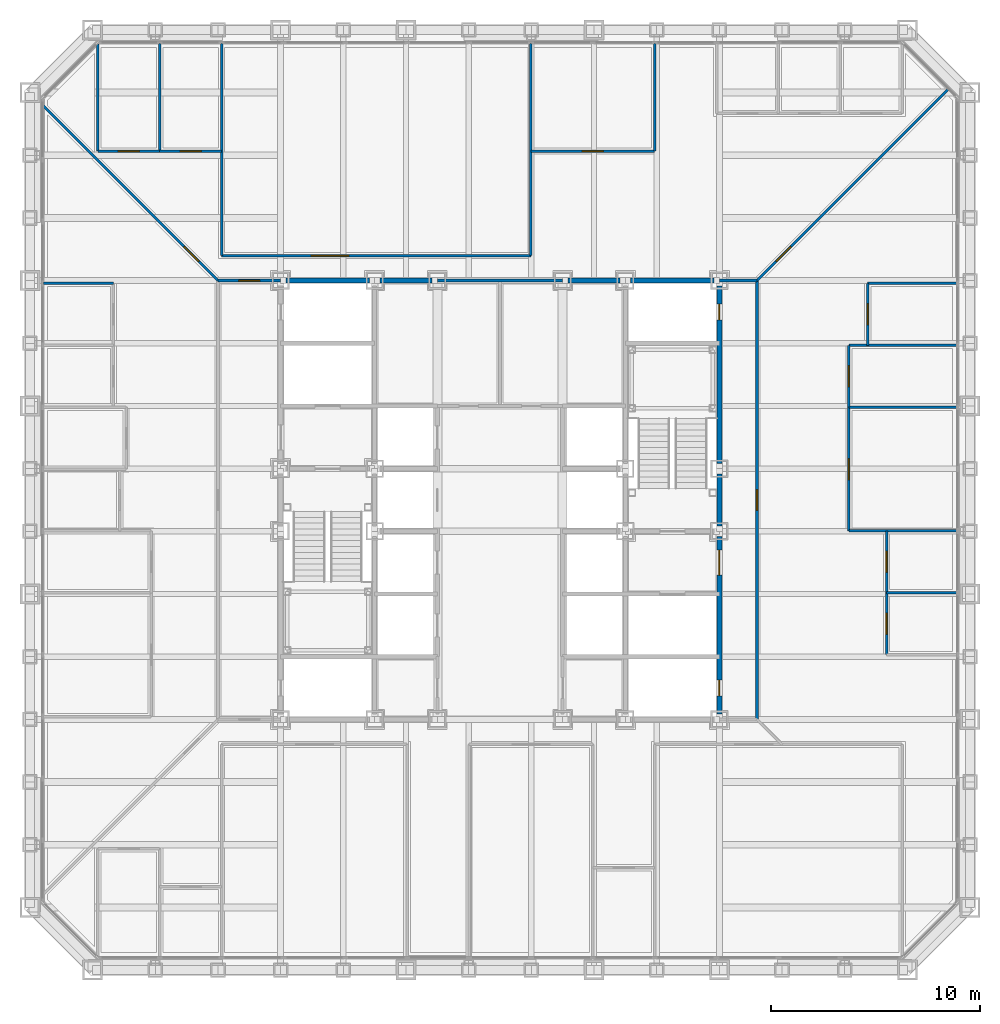
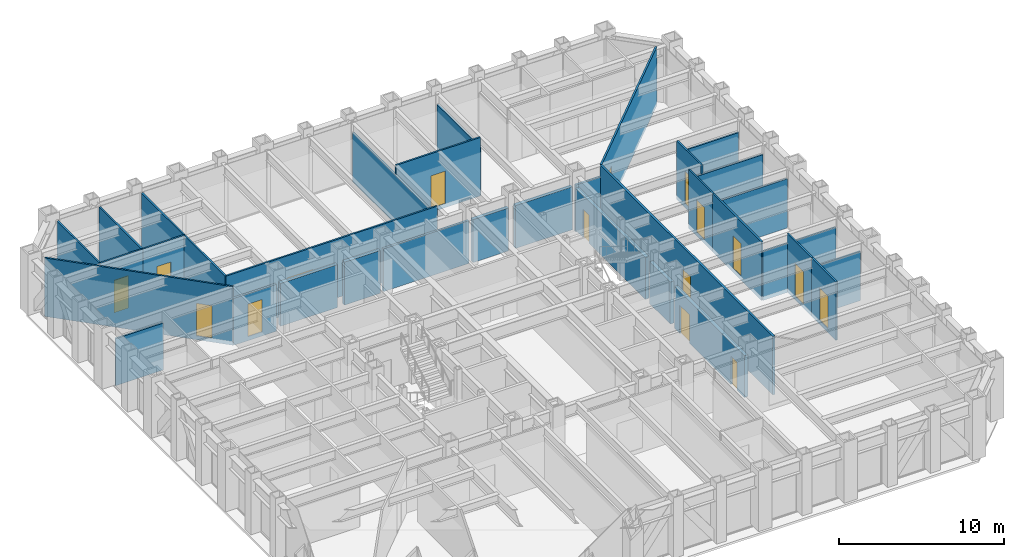
# One storey, part 10 of 17: 33 walls, 16 doors, 16 openings.
"""IFC4 building model written with IfcOpenShell, lengths in metres."""

from ifc_helpers import new_model, si_unit, direction, frame, frame_2d, origin, place, context, subcontext, project, spatial, rectangle, extrude, material, layer, layer_set, type_object, element, fill, save


model = new_model("IFC4")

# Units and contexts
model_context = context("Model", 3, precision=1e-05, world=origin(), true_north=direction((0.0, 1.0)))
body_context = subcontext(model_context, "Body", "Model", "MODEL_VIEW")
ifc_project = project(units=[si_unit("LENGTHUNIT", "METRE"), si_unit("AREAUNIT", "SQUARE_METRE"), si_unit("VOLUMEUNIT", "CUBIC_METRE"), si_unit("PLANEANGLEUNIT", "RADIAN"), si_unit("MASSUNIT", "GRAM", prefix="KILO")], contexts=[model_context])

# Site, building, storey
site_placement = place(None, origin())
site = spatial("IfcSite", under=ifc_project, at=site_placement, CompositionType="ELEMENT")
building_placement = place(site_placement, origin())
building = spatial("IfcBuilding", under=site, at=building_placement, Name="Chuquiago Exchange Tower", CompositionType="ELEMENT")
storey_placement = place(building_placement, frame((0.0, 0.0, 64.800048828125)))
storey = spatial("IfcBuildingStorey", under=building, at=storey_placement, Name="L13", CompositionType="ELEMENT", Elevation=64.800048828125)

# Walls
ifc_material_1 = material(Name="Concrete masonry, fully grouted", Category="masonry")
ifc_layer_1 = layer(ifc_material_1, 0.25)
ifc_layer_set_1 = layer_set([ifc_layer_1], Name="W1 core wall 250")
wall_type_1 = type_object("IfcWallType", Name="W1 core wall 250", PredefinedType="SOLIDWALL", material=ifc_layer_set_1)
wall_1_placement = place(storey_placement, frame((12.25, 33.0, 0.0), z_axis=(0.0, 0.0, 1.0), x_axis=(1.0, 0.0, 0.0)))
element("IfcWall", 1, at=wall_1_placement, inside=storey, type_object=wall_type_1, Name="CW-L13-11-0", PredefinedType="SOLIDWALL", context=body_context, shape_type="SweptSolid", body=[
    extrude(rectangle(XDim=4.0, YDim=0.25, at=frame_2d((2.0, 0.0))), origin(), (0.0, 0.0, 1.0), 3.181396484375),
])
for number, where, z_axis, x_axis, name in (
    (2, (16.75, 33.0, 0.0), (0.0, 0.0, 1.0), (1.0, 0.0, 0.0), "CW-L13-11-1"),
    (3, (25.75, 33.0, 0.0), (0.0, 0.0, 1.0), (1.0, 0.0, 0.0), "CW-L13-12-0"),
):
    element("IfcWall", number, at=place(storey_placement, frame(where, z_axis=z_axis, x_axis=x_axis)), inside=storey, type_object=wall_type_1, Name=name, PredefinedType="SOLIDWALL", context=body_context, shape_type="SweptSolid", body=[
        extrude(rectangle(XDim=2.5, YDim=0.25, at=frame_2d((1.25, 0.0))), origin(), (0.0, 0.0, 1.0), 3.181396484375),
    ])
wall_2_placement = place(storey_placement, frame((28.75, 33.0, 0.0), z_axis=(0.0, 0.0, 1.0), x_axis=(1.0, 0.0, 0.0)))
element("IfcWall", 4, at=wall_2_placement, inside=storey, type_object=wall_type_1, Name="CW-L13-12-1", PredefinedType="SOLIDWALL", context=body_context, shape_type="SweptSolid", body=[
    extrude(rectangle(XDim=4.0, YDim=0.25, at=frame_2d((2.0, 0.0))), origin(), (0.0, 0.0, 1.0), 3.181396484375),
])

# Wall, openings, doors
wall_3_placement = place(storey_placement, frame((33.0, 12.25, 0.0), z_axis=(0.0, 0.0, 1.0), x_axis=(0.0, 1.0, 0.0)))
wall_3 = element("IfcWall", 5, at=wall_3_placement, inside=storey, type_object=wall_type_1, Name="CW-L13-25-0", PredefinedType="SOLIDWALL", context=body_context, shape_type="SweptSolid", body=[
    extrude(rectangle(XDim=8.5, YDim=0.25, at=frame_2d((4.25, 0.0))), origin(), (0.0, 0.0, 1.0), 3.11279296875),
])
opening_1_placement = place(wall_3_placement, frame((6.64990234375, 0.0, 0.0)))
opening_1 = element("IfcOpeningElement", 6, at=opening_1_placement, cuts=wall_3, Name="Opening L13-004", PredefinedType="OPENING", context=body_context, shape_type="SweptSolid", body=[
    extrude(rectangle(XDim=1.199951171875, YDim=2.10009765625, at=frame_2d((0.60009765625, 1.050048828125))), frame((0.0, 0.135009765625, 0.0), z_axis=(0.0, -1.0, 0.0), x_axis=(1.0, 0.0, 0.0)), (0.0, 0.0, 1.0), 0.27001953125),
])
opening_2_placement = place(wall_3_placement, frame((0.875, 0.0, 0.0)))
opening_2 = element("IfcOpeningElement", 7, at=opening_2_placement, cuts=wall_3, Name="Opening L13-009", PredefinedType="OPENING", context=body_context, shape_type="SweptSolid", body=[
    extrude(rectangle(XDim=0.75, YDim=2.10009765625, at=frame_2d((0.375, 1.050048828125))), frame((0.0, 0.135009765625, 0.0), z_axis=(0.0, -1.0, 0.0), x_axis=(1.0, 0.0, 0.0)), (0.0, 0.0, 1.0), 0.27001953125),
])
ifc_material_2 = material(Name="Steel door, painted", Category="steel")
door_type_1 = type_object("IfcDoorType", Name="D5 firefighting lobby door 1200x2100", OperationType="SINGLE_SWING_LEFT", PredefinedType="DOOR", material=ifc_material_2)
door_1_placement = place(opening_1_placement, origin())
door_1 = element("IfcDoor", 8, at=door_1_placement, inside=storey, type_object=door_type_1, Name="Firefighting lobby 2 door", OperationType="SINGLE_SWING_RIGHT", OverallHeight=2.10009765625, OverallWidth=1.199951171875, PredefinedType="DOOR", context=body_context, shape_type="SweptSolid", body=[
    extrude(rectangle(XDim=1.199951171875, YDim=2.10009765625, at=frame_2d((0.60009765625, 1.050048828125))), frame((0.0, 0.02490234375, 0.0), z_axis=(0.0, -1.0, 0.0), x_axis=(1.0, 0.0, 0.0)), (0.0, 0.0, 1.0), 0.050048828125),
])
fill(opening_1, door_1)
ifc_material_3 = material(Name="Steel door, painted", Category="steel")
door_type_2 = type_object("IfcDoorType", Name="D6 riser access door 750x2100", OperationType="SINGLE_SWING_LEFT", PredefinedType="DOOR", material=ifc_material_3)
door_2_placement = place(opening_2_placement, frame((0.75, 0.0, 0.0), z_axis=(0.0, 0.0, 1.0), x_axis=(-1.0, 0.0, 0.0)))
door_2 = element("IfcDoor", 9, at=door_2_placement, inside=storey, type_object=door_type_2, Name="Riser RE1 door", OperationType="SINGLE_SWING_RIGHT", OverallHeight=2.10009765625, OverallWidth=0.75, PredefinedType="DOOR", context=body_context, shape_type="SweptSolid", body=[
    extrude(rectangle(XDim=0.75, YDim=2.10009765625, at=frame_2d((0.375, 1.050048828125))), frame((0.0, 0.02490234375, 0.0), z_axis=(0.0, -1.0, 0.0), x_axis=(1.0, 0.0, 0.0)), (0.0, 0.0, 1.0), 0.050048828125),
])
fill(opening_2, door_2)

# Wall
wall_4_placement = place(storey_placement, frame((33.0, 21.25, 0.0), z_axis=(0.0, 0.0, 1.0), x_axis=(0.0, 1.0, 0.0)))
element("IfcWall", 10, at=wall_4_placement, inside=storey, type_object=wall_type_1, Name="CW-L13-25-1", PredefinedType="SOLIDWALL", context=body_context, shape_type="SweptSolid", body=[
    extrude(rectangle(XDim=2.5, YDim=0.25, at=frame_2d((1.25, 0.0))), origin(), (0.0, 0.0, 1.0), 3.11279296875),
])

# Wall, opening, door
wall_5_placement = place(storey_placement, frame((33.0, 24.25, 0.0), z_axis=(0.0, 0.0, 1.0), x_axis=(0.0, 1.0, 0.0)))
wall_5 = element("IfcWall", 11, at=wall_5_placement, inside=storey, type_object=wall_type_1, Name="CW-L13-25-2", PredefinedType="SOLIDWALL", context=body_context, shape_type="SweptSolid", body=[
    extrude(rectangle(XDim=8.5, YDim=0.25, at=frame_2d((4.25, 0.0))), origin(), (0.0, 0.0, 1.0), 3.11279296875),
])
opening_3_placement = place(wall_5_placement, frame((6.875, 0.0, 0.0)))
opening_3 = element("IfcOpeningElement", 12, at=opening_3_placement, cuts=wall_5, Name="Opening L13-010", PredefinedType="OPENING", context=body_context, shape_type="SweptSolid", body=[
    extrude(rectangle(XDim=0.75, YDim=2.10009765625, at=frame_2d((0.375, 1.050048828125))), frame((0.0, 0.135009765625, 0.0), z_axis=(0.0, -1.0, 0.0), x_axis=(1.0, 0.0, 0.0)), (0.0, 0.0, 1.0), 0.27001953125),
])
door_3_placement = place(opening_3_placement, frame((0.75, 0.0, 0.0), z_axis=(0.0, 0.0, 1.0), x_axis=(-1.0, 0.0, 0.0)))
door_3 = element("IfcDoor", 13, at=door_3_placement, inside=storey, type_object=door_type_2, Name="Riser RE2 door", OperationType="SINGLE_SWING_LEFT", OverallHeight=2.10009765625, OverallWidth=0.75, PredefinedType="DOOR", context=body_context, shape_type="SweptSolid", body=[
    extrude(rectangle(XDim=0.75, YDim=2.10009765625, at=frame_2d((0.375, 1.050048828125))), frame((0.0, 0.02490234375, 0.0), z_axis=(0.0, -1.0, 0.0), x_axis=(1.0, 0.0, 0.0)), (0.0, 0.0, 1.0), 0.050048828125),
])
fill(opening_3, door_3)

ifc_material_4 = material(Name="Gypsum board on steel studs, acoustic insulation", Category="steel")
ifc_layer_2 = layer(ifc_material_4, 0.14990234375)
ifc_layer_set_2 = layer_set([ifc_layer_2], Name="W11 corridor wall 150")
wall_type_2 = type_object("IfcWallType", Name="W11 corridor wall 150", PredefinedType="PARTITIONING", material=ifc_layer_set_2)
wall_6_placement = place(storey_placement, frame((9.0, 33.0, -0.300048828125), z_axis=(0.0, 0.0, 1.0), x_axis=(1.0, 0.0, 0.0)))
wall_6 = element("IfcWall", 14, at=wall_6_placement, inside=storey, type_object=wall_type_2, Name="PW-L13-GWN0", PredefinedType="PARTITIONING", context=body_context, shape_type="SweptSolid", body=[
    extrude(rectangle(XDim=3.0, YDim=0.14990234375, at=frame_2d((1.5, 0.0))), origin(), (0.0, 0.0, 1.0), 3.4814453125),
])
opening_4_placement = place(wall_6_placement, frame((1.0, 0.0, 0.300048828125)))
opening_4 = element("IfcOpeningElement", 15, at=opening_4_placement, cuts=wall_6, Name="Opening L13-044", PredefinedType="OPENING", context=body_context, shape_type="SweptSolid", body=[
    extrude(rectangle(XDim=1.0, YDim=2.39990234375, at=frame_2d((0.5, 1.199951171875))), frame((0.0, 0.0849609375, 0.0), z_axis=(0.0, -1.0, 0.0), x_axis=(1.0, 0.0, 0.0)), (0.0, 0.0, 1.0), 0.169921875),
])
ifc_material_5 = material(Name="Timber door, laminate faced", Category="wood")
door_type_3 = type_object("IfcDoorType", Name="D9 room door 1000x2400", OperationType="SINGLE_SWING_LEFT", PredefinedType="DOOR", material=ifc_material_5)
door_4_placement = place(opening_4_placement, frame((1.0, 0.0, 0.0), z_axis=(0.0, 0.0, 1.0), x_axis=(-1.0, 0.0, 0.0)))
door_4 = element("IfcDoor", 16, at=door_4_placement, inside=storey, type_object=door_type_3, Name="Team area door", OperationType="SINGLE_SWING_LEFT", OverallHeight=2.39990234375, OverallWidth=1.0, PredefinedType="DOOR", context=body_context, shape_type="SweptSolid", body=[
    extrude(rectangle(XDim=1.0, YDim=2.39990234375, at=frame_2d((0.5, 1.199951171875))), frame((0.0, 0.02490234375, 0.0), z_axis=(0.0, -1.0, 0.0), x_axis=(1.0, 0.0, 0.0)), (0.0, 0.0, 1.0), 0.050048828125),
])
fill(opening_4, door_4)

wall_7_placement = place(storey_placement, frame((34.800048828125, 12.0, -0.300048828125), z_axis=(0.0, 0.0, 1.0), x_axis=(0.0, 1.0, 0.0)))
wall_7 = element("IfcWall", 17, at=wall_7_placement, inside=storey, type_object=wall_type_2, Name="PW-L13-GE0", PredefinedType="PARTITIONING", context=body_context, shape_type="SweptSolid", body=[
    extrude(rectangle(XDim=21.0, YDim=0.14990234375, at=frame_2d((10.5, 0.0))), origin(), (0.0, 0.0, 1.0), 4.340087890625),
])
opening_5_placement = place(wall_7_placement, frame((10.0, 0.0, 0.300048828125)))
opening_5 = element("IfcOpeningElement", 18, at=opening_5_placement, cuts=wall_7, Name="Opening L13-046", PredefinedType="OPENING", context=body_context, shape_type="SweptSolid", body=[
    extrude(rectangle(XDim=1.0, YDim=2.39990234375, at=frame_2d((0.5, 1.199951171875))), frame((0.0, 0.0849609375, 0.0), z_axis=(0.0, -1.0, 0.0), x_axis=(1.0, 0.0, 0.0)), (0.0, 0.0, 1.0), 0.169921875),
])
door_5_placement = place(opening_5_placement, origin())
door_5 = element("IfcDoor", 19, at=door_5_placement, inside=storey, type_object=door_type_3, Name="Team area door", OperationType="SINGLE_SWING_LEFT", OverallHeight=2.39990234375, OverallWidth=1.0, PredefinedType="DOOR", context=body_context, shape_type="SweptSolid", body=[
    extrude(rectangle(XDim=1.0, YDim=2.39990234375, at=frame_2d((0.5, 1.199951171875))), frame((0.0, 0.02490234375, 0.0), z_axis=(0.0, -1.0, 0.0), x_axis=(1.0, 0.0, 0.0)), (0.0, 0.0, 1.0), 0.050048828125),
])
fill(opening_5, door_5)

# Walls
wall_8_placement = place(storey_placement, frame((33.0, 33.0, -0.300048828125), z_axis=(0.0, 0.0, 1.0), x_axis=(1.0, 0.0, 0.0)))
element("IfcWall", 20, at=wall_8_placement, inside=storey, type_object=wall_type_2, Name="PW-L13-GEN0", PredefinedType="PARTITIONING", context=body_context, shape_type="SweptSolid", body=[
    extrude(rectangle(XDim=1.800048828125, YDim=0.14990234375, at=frame_2d((0.89990234375, 0.0))), origin(), (0.0, 0.0, 1.0), 3.4814453125),
])
ifc_material_6 = material(Name="Gypsum board on steel studs", Category="steel")
ifc_layer_3 = layer(ifc_material_6, 0.14990234375)
ifc_layer_set_3 = layer_set([ifc_layer_3], Name="W3 core partition 150")
wall_type_3 = type_object("IfcWallType", Name="W3 core partition 150", PredefinedType="PARTITIONING", material=ifc_layer_set_3)
wall_9_placement = place(storey_placement, frame((19.5, 33.0, 0.0), z_axis=(0.0, 0.0, 1.0), x_axis=(1.0, 0.0, 0.0)))
element("IfcWall", 21, at=wall_9_placement, inside=storey, type_object=wall_type_3, Name="CW-L13-TB", PredefinedType="PARTITIONING", context=body_context, shape_type="SweptSolid", body=[
    extrude(rectangle(XDim=6.0, YDim=0.14990234375, at=frame_2d((3.0, 0.0))), origin(), (0.0, 0.0, 1.0), 3.181396484375),
])
ifc_material_7 = material(Name="Gypsum board on steel studs", Category="steel")
ifc_layer_4 = layer(ifc_material_7, 0.1201171875)
ifc_layer_set_4 = layer_set([ifc_layer_4], Name="W4 partition 120")
wall_type_4 = type_object("IfcWallType", Name="W4 partition 120", PredefinedType="PARTITIONING", material=ifc_layer_set_4)
wall_10_placement = place(storey_placement, frame((44.342529296875, 18.057373046875, -0.300048828125), z_axis=(0.0, 0.0, 1.0), x_axis=(-1.0, 0.0, 0.0)))
element("IfcWall", 22, at=wall_10_placement, inside=storey, type_object=wall_type_4, Name="PW-L13-E01806", PredefinedType="PARTITIONING", context=body_context, shape_type="SweptSolid", body=[
    extrude(rectangle(XDim=3.342529296875, YDim=0.1201171875, at=frame_2d((1.67138671875, 0.0))), origin(), (0.0, 0.0, 1.0), 3.646484375),
])
for number, where, z_axis, x_axis, name in (
    (23, (44.342529296875, 21.01904296875, -0.300048828125), (0.0, 0.0, 1.0), (-1.0, 0.0, 0.0), "PW-L13-E02102"),
    (24, (44.342529296875, 26.942626953125, -0.300048828125), (0.0, 0.0, 1.0), (-1.0, 0.0, 0.0), "PW-L13-E02694"),
    (25, (44.342529296875, 29.904296875, -0.300048828125), (0.0, 0.0, 1.0), (-1.0, 0.0, 0.0), "PW-L13-E02990"),
):
    element("IfcWall", number, at=place(storey_placement, frame(where, z_axis=z_axis, x_axis=x_axis)), inside=storey, type_object=wall_type_4, Name=name, PredefinedType="PARTITIONING", context=body_context, shape_type="SweptSolid", body=[
        extrude(rectangle(XDim=5.142578125, YDim=0.1201171875, at=frame_2d((2.5712890625, 0.0))), origin(), (0.0, 0.0, 1.0), 3.646484375),
    ])
wall_11_placement = place(storey_placement, frame((44.342529296875, 32.8662109375, -0.300048828125), z_axis=(0.0, 0.0, 1.0), x_axis=(-1.0, 0.0, 0.0)))
element("IfcWall", 26, at=wall_11_placement, inside=storey, type_object=wall_type_4, Name="PW-L13-E03287", PredefinedType="PARTITIONING", context=body_context, shape_type="SweptSolid", body=[
    extrude(rectangle(XDim=4.242431640625, YDim=0.1201171875, at=frame_2d((2.12109375, 0.0))), origin(), (0.0, 0.0, 1.0), 3.4814453125),
])

# Wall, opening, door
wall_12_placement = place(storey_placement, frame((41.0, 15.095703125, -0.300048828125), z_axis=(0.0, 0.0, 1.0), x_axis=(0.0, 1.0, 0.0)))
wall_12 = element("IfcWall", 27, at=wall_12_placement, inside=storey, type_object=wall_type_4, Name="PW-L13-EF01510", PredefinedType="PARTITIONING", context=body_context, shape_type="SweptSolid", body=[
    extrude(rectangle(XDim=2.961669921875, YDim=0.1201171875, at=frame_2d((1.48095703125, 0.0))), origin(), (0.0, 0.0, 1.0), 4.340087890625),
])
opening_6_placement = place(wall_12_placement, frame((0.98095703125, 0.0, 0.300048828125)))
opening_6 = element("IfcOpeningElement", 28, at=opening_6_placement, cuts=wall_12, Name="Opening L13-025", PredefinedType="OPENING", context=body_context, shape_type="SweptSolid", body=[
    extrude(rectangle(XDim=1.0, YDim=2.39990234375, at=frame_2d((0.5, 1.199951171875))), frame((0.0, 0.070068359375, 0.0), z_axis=(0.0, -1.0, 0.0), x_axis=(1.0, 0.0, 0.0)), (0.0, 0.0, 1.0), 0.14013671875),
])
ifc_material_8 = material(Name="Timber frame door, full height glazed panel", Category="wood")
door_type_4 = type_object("IfcDoorType", Name="D14 glazed meeting room door 1000x2400", OperationType="SINGLE_SWING_LEFT", PredefinedType="DOOR", material=ifc_material_8)
door_6_placement = place(opening_6_placement, frame((1.0, 0.0, 0.0), z_axis=(0.0, 0.0, 1.0), x_axis=(-1.0, 0.0, 0.0)))
door_6 = element("IfcDoor", 29, at=door_6_placement, inside=storey, type_object=door_type_4, Name="Focus room door", OperationType="SINGLE_SWING_RIGHT", OverallHeight=2.39990234375, OverallWidth=1.0, PredefinedType="DOOR", context=body_context, shape_type="SweptSolid", body=[
    extrude(rectangle(XDim=1.0, YDim=2.39990234375, at=frame_2d((0.5, 1.199951171875))), frame((0.0, 0.02490234375, 0.0), z_axis=(0.0, -1.0, 0.0), x_axis=(1.0, 0.0, 0.0)), (0.0, 0.0, 1.0), 0.050048828125),
])
fill(opening_6, door_6)

wall_13_placement = place(storey_placement, frame((41.0, 18.057373046875, -0.300048828125), z_axis=(0.0, 0.0, 1.0), x_axis=(0.0, 1.0, 0.0)))
wall_13 = element("IfcWall", 30, at=wall_13_placement, inside=storey, type_object=wall_type_4, Name="PW-L13-EF01806", PredefinedType="PARTITIONING", context=body_context, shape_type="SweptSolid", body=[
    extrude(rectangle(XDim=2.961669921875, YDim=0.1201171875, at=frame_2d((1.48095703125, 0.0))), origin(), (0.0, 0.0, 1.0), 4.340087890625),
])
opening_7_placement = place(wall_13_placement, frame((0.98095703125, 0.0, 0.300048828125)))
opening_7 = element("IfcOpeningElement", 31, at=opening_7_placement, cuts=wall_13, Name="Opening L13-026", PredefinedType="OPENING", context=body_context, shape_type="SweptSolid", body=[
    extrude(rectangle(XDim=1.0, YDim=2.39990234375, at=frame_2d((0.5, 1.199951171875))), frame((0.0, 0.070068359375, 0.0), z_axis=(0.0, -1.0, 0.0), x_axis=(1.0, 0.0, 0.0)), (0.0, 0.0, 1.0), 0.14013671875),
])
door_7_placement = place(opening_7_placement, frame((1.0, 0.0, 0.0), z_axis=(0.0, 0.0, 1.0), x_axis=(-1.0, 0.0, 0.0)))
door_7 = element("IfcDoor", 32, at=door_7_placement, inside=storey, type_object=door_type_4, Name="Focus room door", OperationType="SINGLE_SWING_LEFT", OverallHeight=2.39990234375, OverallWidth=1.0, PredefinedType="DOOR", context=body_context, shape_type="SweptSolid", body=[
    extrude(rectangle(XDim=1.0, YDim=2.39990234375, at=frame_2d((0.5, 1.199951171875))), frame((0.0, 0.02490234375, 0.0), z_axis=(0.0, -1.0, 0.0), x_axis=(1.0, 0.0, 0.0)), (0.0, 0.0, 1.0), 0.050048828125),
])
fill(opening_7, door_7)

wall_14_placement = place(storey_placement, frame((39.199951171875, 21.01904296875, -0.300048828125), z_axis=(0.0, 0.0, 1.0), x_axis=(0.0, 1.0, 0.0)))
wall_14 = element("IfcWall", 33, at=wall_14_placement, inside=storey, type_object=wall_type_4, Name="PW-L13-EF02102", PredefinedType="PARTITIONING", context=body_context, shape_type="SweptSolid", body=[
    extrude(rectangle(XDim=5.923583984375, YDim=0.1201171875, at=frame_2d((2.9619140625, 0.0))), origin(), (0.0, 0.0, 1.0), 4.340087890625),
])
opening_8_placement = place(wall_14_placement, frame((2.461669921875, 0.0, 0.300048828125)))
opening_8 = element("IfcOpeningElement", 34, at=opening_8_placement, cuts=wall_14, Name="Opening L13-027", PredefinedType="OPENING", context=body_context, shape_type="SweptSolid", body=[
    extrude(rectangle(XDim=1.0, YDim=2.39990234375, at=frame_2d((0.5, 1.199951171875))), frame((0.0, 0.070068359375, 0.0), z_axis=(0.0, -1.0, 0.0), x_axis=(1.0, 0.0, 0.0)), (0.0, 0.0, 1.0), 0.14013671875),
])
door_8_placement = place(opening_8_placement, frame((1.0, 0.0, 0.0), z_axis=(0.0, 0.0, 1.0), x_axis=(-1.0, 0.0, 0.0)))
door_8 = element("IfcDoor", 35, at=door_8_placement, inside=storey, type_object=door_type_4, Name="Meeting room door", OperationType="SINGLE_SWING_RIGHT", OverallHeight=2.39990234375, OverallWidth=1.0, PredefinedType="DOOR", context=body_context, shape_type="SweptSolid", body=[
    extrude(rectangle(XDim=1.0, YDim=2.39990234375, at=frame_2d((0.5, 1.199951171875))), frame((0.0, 0.02490234375, 0.0), z_axis=(0.0, -1.0, 0.0), x_axis=(1.0, 0.0, 0.0)), (0.0, 0.0, 1.0), 0.050048828125),
])
fill(opening_8, door_8)

wall_15_placement = place(storey_placement, frame((39.199951171875, 26.942626953125, -0.300048828125), z_axis=(0.0, 0.0, 1.0), x_axis=(0.0, 1.0, 0.0)))
wall_15 = element("IfcWall", 36, at=wall_15_placement, inside=storey, type_object=wall_type_4, Name="PW-L13-EF02694", PredefinedType="PARTITIONING", context=body_context, shape_type="SweptSolid", body=[
    extrude(rectangle(XDim=2.961669921875, YDim=0.1201171875, at=frame_2d((1.48095703125, 0.0))), origin(), (0.0, 0.0, 1.0), 4.340087890625),
])
opening_9_placement = place(wall_15_placement, frame((0.98095703125, 0.0, 0.300048828125)))
opening_9 = element("IfcOpeningElement", 37, at=opening_9_placement, cuts=wall_15, Name="Opening L13-028", PredefinedType="OPENING", context=body_context, shape_type="SweptSolid", body=[
    extrude(rectangle(XDim=1.0, YDim=2.39990234375, at=frame_2d((0.5, 1.199951171875))), frame((0.0, 0.070068359375, 0.0), z_axis=(0.0, -1.0, 0.0), x_axis=(1.0, 0.0, 0.0)), (0.0, 0.0, 1.0), 0.14013671875),
])
door_9_placement = place(opening_9_placement, frame((1.0, 0.0, 0.0), z_axis=(0.0, 0.0, 1.0), x_axis=(-1.0, 0.0, 0.0)))
door_9 = element("IfcDoor", 38, at=door_9_placement, inside=storey, type_object=door_type_3, Name="Office door", OperationType="SINGLE_SWING_RIGHT", OverallHeight=2.39990234375, OverallWidth=1.0, PredefinedType="DOOR", context=body_context, shape_type="SweptSolid", body=[
    extrude(rectangle(XDim=1.0, YDim=2.39990234375, at=frame_2d((0.5, 1.199951171875))), frame((0.0, 0.02490234375, 0.0), z_axis=(0.0, -1.0, 0.0), x_axis=(1.0, 0.0, 0.0)), (0.0, 0.0, 1.0), 0.050048828125),
])
fill(opening_9, door_9)

wall_16_placement = place(storey_placement, frame((40.10009765625, 29.904296875, -0.300048828125), z_axis=(0.0, 0.0, 1.0), x_axis=(0.0, 1.0, 0.0)))
wall_16 = element("IfcWall", 39, at=wall_16_placement, inside=storey, type_object=wall_type_4, Name="PW-L13-EF02990", PredefinedType="PARTITIONING", context=body_context, shape_type="SweptSolid", body=[
    extrude(rectangle(XDim=2.9619140625, YDim=0.1201171875, at=frame_2d((1.48095703125, 0.0))), origin(), (0.0, 0.0, 1.0), 4.340087890625),
])
opening_10_placement = place(wall_16_placement, frame((0.98095703125, 0.0, 0.300048828125)))
opening_10 = element("IfcOpeningElement", 40, at=opening_10_placement, cuts=wall_16, Name="Opening L13-029", PredefinedType="OPENING", context=body_context, shape_type="SweptSolid", body=[
    extrude(rectangle(XDim=1.0, YDim=2.39990234375, at=frame_2d((0.5, 1.199951171875))), frame((0.0, 0.070068359375, 0.0), z_axis=(0.0, -1.0, 0.0), x_axis=(1.0, 0.0, 0.0)), (0.0, 0.0, 1.0), 0.14013671875),
])
door_10_placement = place(opening_10_placement, frame((1.0, 0.0, 0.0), z_axis=(0.0, 0.0, 1.0), x_axis=(-1.0, 0.0, 0.0)))
door_10 = element("IfcDoor", 41, at=door_10_placement, inside=storey, type_object=door_type_3, Name="Comms room door", OperationType="SINGLE_SWING_RIGHT", OverallHeight=2.39990234375, OverallWidth=1.0, PredefinedType="DOOR", context=body_context, shape_type="SweptSolid", body=[
    extrude(rectangle(XDim=1.0, YDim=2.39990234375, at=frame_2d((0.5, 1.199951171875))), frame((0.0, 0.02490234375, 0.0), z_axis=(0.0, -1.0, 0.0), x_axis=(1.0, 0.0, 0.0)), (0.0, 0.0, 1.0), 0.050048828125),
])
fill(opening_10, door_10)

# Walls
wall_17_placement = place(storey_placement, frame((3.24853515625, 44.333984375, -0.300048828125), z_axis=(0.0, 0.0, 1.0), x_axis=(0.0, -1.0, 0.0)))
element("IfcWall", 42, at=wall_17_placement, inside=storey, type_object=wall_type_4, Name="PW-L13-N00325", PredefinedType="PARTITIONING", context=body_context, shape_type="SweptSolid", body=[
    extrude(rectangle(XDim=5.134033203125, YDim=0.1201171875, at=frame_2d((2.56689453125, 0.0))), origin(), (0.0, 0.0, 1.0), 4.340087890625),
])
wall_18_placement = place(storey_placement, frame((6.210205078125, 44.342529296875, -0.300048828125), z_axis=(0.0, 0.0, 1.0), x_axis=(0.0, -1.0, 0.0)))
element("IfcWall", 43, at=wall_18_placement, inside=storey, type_object=wall_type_4, Name="PW-L13-N00621", PredefinedType="PARTITIONING", context=body_context, shape_type="SweptSolid", body=[
    extrude(rectangle(XDim=5.142578125, YDim=0.1201171875, at=frame_2d((2.5712890625, 0.0))), origin(), (0.0, 0.0, 1.0), 4.340087890625),
])
wall_19_placement = place(storey_placement, frame((9.172119140625, 44.342529296875, -0.300048828125), z_axis=(0.0, 0.0, 1.0), x_axis=(0.0, -1.0, 0.0)))
element("IfcWall", 44, at=wall_19_placement, inside=storey, type_object=wall_type_4, Name="PW-L13-N00917", PredefinedType="PARTITIONING", context=body_context, shape_type="SweptSolid", body=[
    extrude(rectangle(XDim=10.142578125, YDim=0.1201171875, at=frame_2d((5.0712890625, 0.0))), origin(), (0.0, 0.0, 1.0), 4.340087890625),
])
wall_20_placement = place(storey_placement, frame((23.98095703125, 44.342529296875, -0.300048828125), z_axis=(0.0, 0.0, 1.0), x_axis=(0.0, -1.0, 0.0)))
element("IfcWall", 45, at=wall_20_placement, inside=storey, type_object=wall_type_4, Name="PW-L13-N02398", PredefinedType="PARTITIONING", context=body_context, shape_type="SweptSolid", body=[
    extrude(rectangle(XDim=10.142578125, YDim=0.1201171875, at=frame_2d((5.0712890625, 0.0))), origin(), (0.0, 0.0, 1.0), 3.646484375),
])
wall_21_placement = place(storey_placement, frame((29.904296875, 44.342529296875, -0.300048828125), z_axis=(0.0, 0.0, 1.0), x_axis=(0.0, -1.0, 0.0)))
element("IfcWall", 46, at=wall_21_placement, inside=storey, type_object=wall_type_4, Name="PW-L13-N02990", PredefinedType="PARTITIONING", context=body_context, shape_type="SweptSolid", body=[
    extrude(rectangle(XDim=5.142578125, YDim=0.1201171875, at=frame_2d((2.5712890625, 0.0))), origin(), (0.0, 0.0, 1.0), 3.646484375),
])

# Wall, opening, door
wall_22_placement = place(storey_placement, frame((3.24853515625, 39.199951171875, -0.300048828125), z_axis=(0.0, 0.0, 1.0), x_axis=(1.0, 0.0, 0.0)))
wall_22 = element("IfcWall", 47, at=wall_22_placement, inside=storey, type_object=wall_type_4, Name="PW-L13-NF00325", PredefinedType="PARTITIONING", context=body_context, shape_type="SweptSolid", body=[
    extrude(rectangle(XDim=2.961669921875, YDim=0.1201171875, at=frame_2d((1.48095703125, 0.0))), origin(), (0.0, 0.0, 1.0), 4.340087890625),
])
opening_11_placement = place(wall_22_placement, frame((0.98095703125, 0.0, 0.300048828125)))
opening_11 = element("IfcOpeningElement", 48, at=opening_11_placement, cuts=wall_22, Name="Opening L13-030", PredefinedType="OPENING", context=body_context, shape_type="SweptSolid", body=[
    extrude(rectangle(XDim=1.0, YDim=2.39990234375, at=frame_2d((0.5, 1.199951171875))), frame((0.0, 0.070068359375, 0.0), z_axis=(0.0, -1.0, 0.0), x_axis=(1.0, 0.0, 0.0)), (0.0, 0.0, 1.0), 0.14013671875),
])
door_11_placement = place(opening_11_placement, origin())
door_11 = element("IfcDoor", 49, at=door_11_placement, inside=storey, type_object=door_type_3, Name="Office door", OperationType="SINGLE_SWING_LEFT", OverallHeight=2.39990234375, OverallWidth=1.0, PredefinedType="DOOR", context=body_context, shape_type="SweptSolid", body=[
    extrude(rectangle(XDim=1.0, YDim=2.39990234375, at=frame_2d((0.5, 1.199951171875))), frame((0.0, 0.02490234375, 0.0), z_axis=(0.0, -1.0, 0.0), x_axis=(1.0, 0.0, 0.0)), (0.0, 0.0, 1.0), 0.050048828125),
])
fill(opening_11, door_11)

wall_23_placement = place(storey_placement, frame((6.210205078125, 39.199951171875, -0.300048828125), z_axis=(0.0, 0.0, 1.0), x_axis=(1.0, 0.0, 0.0)))
wall_23 = element("IfcWall", 50, at=wall_23_placement, inside=storey, type_object=wall_type_4, Name="PW-L13-NF00621", PredefinedType="PARTITIONING", context=body_context, shape_type="SweptSolid", body=[
    extrude(rectangle(XDim=2.9619140625, YDim=0.1201171875, at=frame_2d((1.48095703125, 0.0))), origin(), (0.0, 0.0, 1.0), 4.340087890625),
])
opening_12_placement = place(wall_23_placement, frame((0.98095703125, 0.0, 0.300048828125)))
opening_12 = element("IfcOpeningElement", 51, at=opening_12_placement, cuts=wall_23, Name="Opening L13-031", PredefinedType="OPENING", context=body_context, shape_type="SweptSolid", body=[
    extrude(rectangle(XDim=1.0, YDim=2.39990234375, at=frame_2d((0.5, 1.199951171875))), frame((0.0, 0.070068359375, 0.0), z_axis=(0.0, -1.0, 0.0), x_axis=(1.0, 0.0, 0.0)), (0.0, 0.0, 1.0), 0.14013671875),
])
door_12_placement = place(opening_12_placement, origin())
door_12 = element("IfcDoor", 52, at=door_12_placement, inside=storey, type_object=door_type_3, Name="Office door", OperationType="SINGLE_SWING_LEFT", OverallHeight=2.39990234375, OverallWidth=1.0, PredefinedType="DOOR", context=body_context, shape_type="SweptSolid", body=[
    extrude(rectangle(XDim=1.0, YDim=2.39990234375, at=frame_2d((0.5, 1.199951171875))), frame((0.0, 0.02490234375, 0.0), z_axis=(0.0, -1.0, 0.0), x_axis=(1.0, 0.0, 0.0)), (0.0, 0.0, 1.0), 0.050048828125),
])
fill(opening_12, door_12)

wall_24_placement = place(storey_placement, frame((9.172119140625, 34.199951171875, -0.300048828125), z_axis=(0.0, 0.0, 1.0), x_axis=(1.0, 0.0, 0.0)))
wall_24 = element("IfcWall", 53, at=wall_24_placement, inside=storey, type_object=wall_type_4, Name="PW-L13-NF00917", PredefinedType="PARTITIONING", context=body_context, shape_type="SweptSolid", body=[
    extrude(rectangle(XDim=14.808837890625, YDim=0.1201171875, at=frame_2d((7.404296875, 0.0))), origin(), (0.0, 0.0, 1.0), 4.340087890625),
])
opening_13_placement = place(wall_24_placement, frame((4.283203125, 0.0, 0.300048828125)))
opening_13 = element("IfcOpeningElement", 54, at=opening_13_placement, cuts=wall_24, Name="Opening L13-032", PredefinedType="OPENING", context=body_context, shape_type="SweptSolid", body=[
    extrude(rectangle(XDim=1.800048828125, YDim=2.39990234375, at=frame_2d((0.89990234375, 1.199951171875))), frame((0.0, 0.070068359375, 0.0), z_axis=(0.0, -1.0, 0.0), x_axis=(1.0, 0.0, 0.0)), (0.0, 0.0, 1.0), 0.14013671875),
])
ifc_material_9 = material(Name="Timber door pair, laminate faced", Category="wood")
door_type_5 = type_object("IfcDoorType", Name="D15 double room door 1800x2400", OperationType="DOUBLE_DOOR_DOUBLE_SWING", PredefinedType="DOOR", material=ifc_material_9)
door_13_placement = place(opening_13_placement, origin())
door_13 = element("IfcDoor", 55, at=door_13_placement, inside=storey, type_object=door_type_5, Name="Trading room door", OperationType="DOUBLE_DOOR_DOUBLE_SWING", OverallHeight=2.39990234375, OverallWidth=1.800048828125, PredefinedType="DOOR", context=body_context, shape_type="SweptSolid", body=[
    extrude(rectangle(XDim=1.800048828125, YDim=2.39990234375, at=frame_2d((0.89990234375, 1.199951171875))), frame((0.0, 0.02490234375, 0.0), z_axis=(0.0, -1.0, 0.0), x_axis=(1.0, 0.0, 0.0)), (0.0, 0.0, 1.0), 0.050048828125),
])
fill(opening_13, door_13)

wall_25_placement = place(storey_placement, frame((23.98095703125, 39.199951171875, -0.300048828125), z_axis=(0.0, 0.0, 1.0), x_axis=(1.0, 0.0, 0.0)))
wall_25 = element("IfcWall", 56, at=wall_25_placement, inside=storey, type_object=wall_type_4, Name="PW-L13-NF02398", PredefinedType="PARTITIONING", context=body_context, shape_type="SweptSolid", body=[
    extrude(rectangle(XDim=5.92333984375, YDim=0.1201171875, at=frame_2d((2.961669921875, 0.0))), origin(), (0.0, 0.0, 1.0), 4.340087890625),
])
opening_14_placement = place(wall_25_placement, frame((2.4619140625, 0.0, 0.300048828125)))
opening_14 = element("IfcOpeningElement", 57, at=opening_14_placement, cuts=wall_25, Name="Opening L13-033", PredefinedType="OPENING", context=body_context, shape_type="SweptSolid", body=[
    extrude(rectangle(XDim=1.0, YDim=2.39990234375, at=frame_2d((0.5, 1.199951171875))), frame((0.0, 0.070068359375, 0.0), z_axis=(0.0, -1.0, 0.0), x_axis=(1.0, 0.0, 0.0)), (0.0, 0.0, 1.0), 0.14013671875),
])
door_14_placement = place(opening_14_placement, origin())
door_14 = element("IfcDoor", 58, at=door_14_placement, inside=storey, type_object=door_type_4, Name="Meeting room door", OperationType="SINGLE_SWING_RIGHT", OverallHeight=2.39990234375, OverallWidth=1.0, PredefinedType="DOOR", context=body_context, shape_type="SweptSolid", body=[
    extrude(rectangle(XDim=1.0, YDim=2.39990234375, at=frame_2d((0.5, 1.199951171875))), frame((0.0, 0.02490234375, 0.0), z_axis=(0.0, -1.0, 0.0), x_axis=(1.0, 0.0, 0.0)), (0.0, 0.0, 1.0), 0.050048828125),
])
fill(opening_14, door_14)

# Wall
wall_26_placement = place(storey_placement, frame((0.657470703125, 32.8662109375, -0.300048828125), z_axis=(0.0, 0.0, 1.0), x_axis=(1.0, 0.0, 0.0)))
element("IfcWall", 59, at=wall_26_placement, inside=storey, type_object=wall_type_4, Name="PW-L13-W03287", PredefinedType="PARTITIONING", context=body_context, shape_type="SweptSolid", body=[
    extrude(rectangle(XDim=3.342529296875, YDim=0.1201171875, at=frame_2d((1.67138671875, 0.0))), origin(), (0.0, 0.0, 1.0), 3.4814453125),
])

# Wall, opening, door
wall_27_placement = place(storey_placement, frame((34.800048828125, 33.0, -0.300048828125), z_axis=(0.0, 0.0, 1.0), x_axis=(0.707106781187, 0.707106781187, 0.0)))
wall_27 = element("IfcWall", 60, at=wall_27_placement, inside=storey, type_object=wall_type_4, Name="PW-L13-QNE", PredefinedType="PARTITIONING", context=body_context, shape_type="SweptSolid", body=[
    extrude(rectangle(XDim=12.9443359375, YDim=0.1201171875, at=frame_2d((6.47216796875, 0.0))), origin(), (0.0, 0.0, 1.0), 4.340087890625),
])
opening_15_placement = place(wall_27_placement, frame((1.300048828125, 0.0, 0.300048828125)))
opening_15 = element("IfcOpeningElement", 61, at=opening_15_placement, cuts=wall_27, Name="Opening L13-047", PredefinedType="OPENING", context=body_context, shape_type="SweptSolid", body=[
    extrude(rectangle(XDim=1.0, YDim=2.39990234375, at=frame_2d((0.5, 1.199951171875))), frame((0.0, 0.070068359375, 0.0), z_axis=(0.0, -1.0, 0.0), x_axis=(1.0, 0.0, 0.0)), (0.0, 0.0, 1.0), 0.14013671875),
])
door_15_placement = place(opening_15_placement, origin())
door_15 = element("IfcDoor", 62, at=door_15_placement, inside=storey, type_object=door_type_3, Name="Team area door", OperationType="SINGLE_SWING_LEFT", OverallHeight=2.39990234375, OverallWidth=1.0, PredefinedType="DOOR", context=body_context, shape_type="SweptSolid", body=[
    extrude(rectangle(XDim=1.0, YDim=2.39990234375, at=frame_2d((0.5, 1.199951171875))), frame((0.0, 0.02490234375, 0.0), z_axis=(0.0, -1.0, 0.0), x_axis=(1.0, 0.0, 0.0)), (0.0, 0.0, 1.0), 0.050048828125),
])
fill(opening_15, door_15)

wall_28_placement = place(storey_placement, frame((9.0, 33.0, -0.300048828125), z_axis=(0.0, 0.0, 1.0), x_axis=(-0.707106781187, 0.707106781187, 0.0)))
wall_28 = element("IfcWall", 63, at=wall_28_placement, inside=storey, type_object=wall_type_4, Name="PW-L13-QNW", PredefinedType="PARTITIONING", context=body_context, shape_type="SweptSolid", body=[
    extrude(rectangle(XDim=11.84228515625, YDim=0.1201171875, at=frame_2d((5.921142578125, 0.0))), origin(), (0.0, 0.0, 1.0), 4.340087890625),
])
opening_16_placement = place(wall_28_placement, frame((1.300048828125, 0.0, 0.300048828125)))
opening_16 = element("IfcOpeningElement", 64, at=opening_16_placement, cuts=wall_28, Name="Opening L13-048", PredefinedType="OPENING", context=body_context, shape_type="SweptSolid", body=[
    extrude(rectangle(XDim=1.0, YDim=2.39990234375, at=frame_2d((0.5, 1.199951171875))), frame((0.0, 0.070068359375, 0.0), z_axis=(0.0, -1.0, 0.0), x_axis=(1.0, 0.0, 0.0)), (0.0, 0.0, 1.0), 0.14013671875),
])
door_16_placement = place(opening_16_placement, origin())
door_16 = element("IfcDoor", 65, at=door_16_placement, inside=storey, type_object=door_type_3, Name="Team area door", OperationType="SINGLE_SWING_LEFT", OverallHeight=2.39990234375, OverallWidth=1.0, PredefinedType="DOOR", context=body_context, shape_type="SweptSolid", body=[
    extrude(rectangle(XDim=1.0, YDim=2.39990234375, at=frame_2d((0.5, 1.199951171875))), frame((0.0, 0.02490234375, 0.0), z_axis=(0.0, -1.0, 0.0), x_axis=(1.0, 0.0, 0.0)), (0.0, 0.0, 1.0), 0.050048828125),
])
fill(opening_16, door_16)

save(model, "model.ifc")
